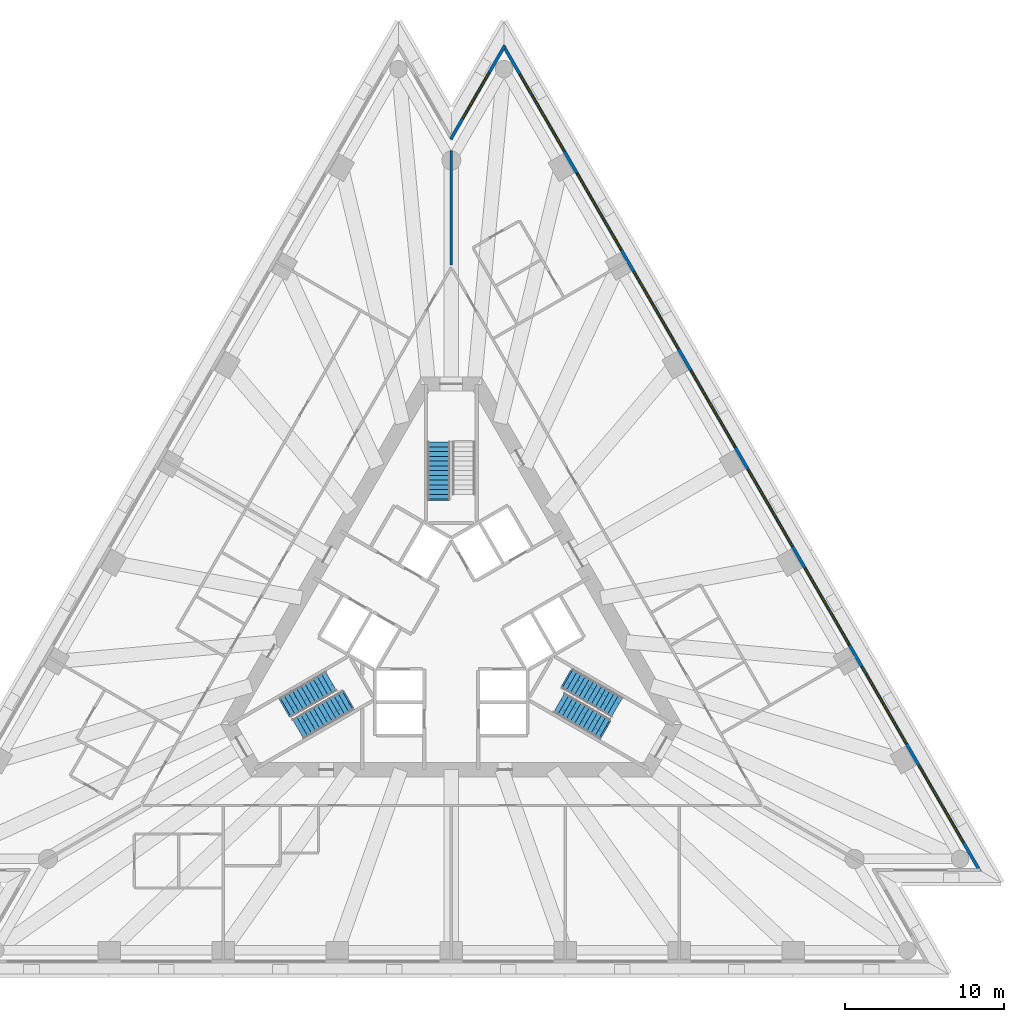
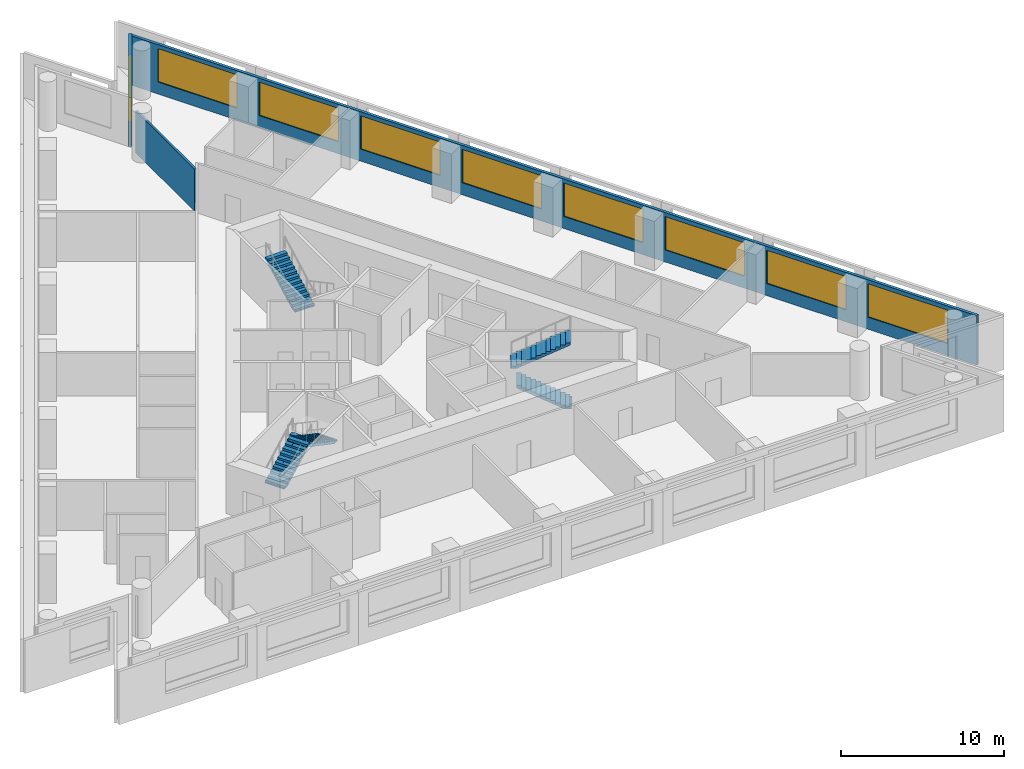
# One storey, part 8 of 11: 9 windows, 5 stair flights, 3 walls, 9 openings, 3 elements without a shape of their own.
"""IFC4 building model written with IfcOpenShell, lengths in metres."""

import ifcopenshell
import ifcopenshell.guid

model = None  # the IFC model being written
_history = None  # IfcOwnerHistory: only IFC2X3 demands one
_inside = {}  # id of a spatial element -> (the spatial element, [elements in it])
_under = {}  # id of a project, library or spatial element -> (it, [spatial elements below it])
_declared = {}  # id of a project -> (the project, [libraries it declares])
_typed = {}  # id of a type object -> (the type object, [elements of that type])
_made_of = {}  # id of a material, layer set ... -> (it, [elements and type objects made of it])


def new_model(schema):
    """Start an empty IFC model of exactly this schema.

    Asked for "IFC4X3", IfcOpenShell would pick the latest addendum, in which some entities
    have other attributes; the version numbers below select the first issue.
    IFC2X3 requires an IfcOwnerHistory on every rooted entity: one is made here for all.
    """
    global model, _history
    if schema == "IFC4X3":
        model = ifcopenshell.file(schema_version=(4, 3, 0, 0))
    else:
        model = ifcopenshell.file(schema=schema)
    _inside.clear()
    _under.clear()
    _declared.clear()
    _typed.clear()
    _made_of.clear()
    _history = None
    if model.schema == "IFC2X3":
        org = make("IfcOrganization", Name="unknown")
        user = make(
            "IfcPersonAndOrganization",
            ThePerson=make("IfcPerson", FamilyName="unknown"),
            TheOrganization=org,
        )
        app = make(
            "IfcApplication",
            ApplicationDeveloper=org,
            Version="unknown",
            ApplicationFullName="unknown",
            ApplicationIdentifier="unknown",
        )
        _history = make(
            "IfcOwnerHistory",
            OwningUser=user,
            OwningApplication=app,
            ChangeAction="ADDED",
            CreationDate=0,
        )
    return model


def make(cls, **values):
    """One entity of the class cls with the attributes given. An attribute that is None is left unset."""
    return model.create_entity(
        cls, **{name: value for name, value in values.items() if value is not None}
    )


def rooted(cls, **values):
    """An entity with a GlobalId (a new one), such as an element, a storey or a relation."""
    return make(cls, GlobalId=ifcopenshell.guid.new(), OwnerHistory=_history, **values)


def si_unit(unit_type, name, prefix=None):
    """IfcSIUnit, for example si_unit("LENGTHUNIT", "METRE", prefix="MILLI")."""
    return make("IfcSIUnit", UnitType=unit_type, Prefix=prefix, Name=name)


def assignment(units):
    """IfcUnitAssignment: the units of a project."""
    return None if units is None else make("IfcUnitAssignment", Units=units)


def point(xyz):
    """IfcCartesianPoint."""
    return None if xyz is None else make("IfcCartesianPoint", Coordinates=xyz)


def direction(xyz):
    """IfcDirection."""
    return None if xyz is None else make("IfcDirection", DirectionRatios=xyz)


def frame(location, z_axis=None, x_axis=None):
    """IfcAxis2Placement3D, a coordinate frame: its origin and axes. An axis left out is left unset."""
    return make(
        "IfcAxis2Placement3D",
        Location=point(location),
        Axis=direction(z_axis),
        RefDirection=direction(x_axis),
    )


def frame_2d(location, x_axis=None):
    """IfcAxis2Placement2D, a coordinate frame in the plane: its origin and x axis."""
    return make(
        "IfcAxis2Placement2D", Location=point(location), RefDirection=direction(x_axis)
    )


def origin():
    """The frame at (0, 0, 0) with its axes left unset."""
    return frame((0.0, 0.0, 0.0))


def place(relative_to, where):
    """IfcLocalPlacement: puts the frame where relative to a parent placement (None: the world)."""
    return make(
        "IfcLocalPlacement", PlacementRelTo=relative_to, RelativePlacement=where
    )


def context(
    kind, dimensions, precision=None, world=None, true_north=None, identifier=None
):
    """IfcGeometricRepresentationContext, for example the 3D "Model" context."""
    return make(
        "IfcGeometricRepresentationContext",
        ContextIdentifier=identifier,
        ContextType=kind,
        CoordinateSpaceDimension=dimensions,
        Precision=precision,
        WorldCoordinateSystem=world,
        TrueNorth=true_north,
    )


def subcontext(parent, identifier, kind, view, scale=None):
    """IfcGeometricRepresentationSubContext, for example "Body" below "Model"."""
    return make(
        "IfcGeometricRepresentationSubContext",
        ContextIdentifier=identifier,
        ContextType=kind,
        ParentContext=parent,
        TargetScale=scale,
        TargetView=view,
    )


def project(units=None, contexts=None):
    """IfcProject with its units and contexts."""
    return rooted(
        "IfcProject",
        Name="project",
        RepresentationContexts=contexts,
        UnitsInContext=assignment(units),
    )


def spatial(cls, under=None, at=None, **own):
    """A site, building, storey or space (cls), placed at a placement, below another one or the project."""
    s = rooted(cls, ObjectPlacement=at, **own)
    if under is not None:
        _under.setdefault(under.id(), (under, []))[1].append(s)
    return s


def polyline(points):
    """IfcPolyline through the points."""
    return make("IfcPolyline", Points=[point(p) for p in points])


def profile(cls, at=None, kind="AREA", **sizes):
    """A parametric profile (cls). Its sizes go by their IFC names, for example OverallWidth=200.0."""
    return make(cls, ProfileType=kind, Position=at, **sizes)


def rectangle(**sizes):
    """IfcRectangleProfileDef."""
    return profile("IfcRectangleProfileDef", **sizes)


def outline(outer, holes=None, kind="AREA"):
    """IfcArbitraryClosedProfileDef: a profile drawn as a closed curve; with holes, ...WithVoids."""
    if holes is None:
        return make("IfcArbitraryClosedProfileDef", ProfileType=kind, OuterCurve=outer)
    return make(
        "IfcArbitraryProfileDefWithVoids",
        ProfileType=kind,
        OuterCurve=outer,
        InnerCurves=holes,
    )


def extrude(swept, where, along, depth):
    """IfcExtrudedAreaSolid: the profile swept, set in the frame where, extruded along a direction by depth."""
    return make(
        "IfcExtrudedAreaSolid",
        SweptArea=swept,
        Position=where,
        ExtrudedDirection=direction(along),
        Depth=depth,
    )


def shape(context_of_items, identifier, shape_type, items):
    """IfcShapeRepresentation: the items that make up one representation, for example the "Body"."""
    return make(
        "IfcShapeRepresentation",
        ContextOfItems=context_of_items,
        RepresentationIdentifier=identifier,
        RepresentationType=shape_type,
        Items=items,
    )


def material(Name=None, Category=None):
    """IfcMaterial."""
    return make("IfcMaterial", Name=Name, Category=Category)


def layer(
    of_material, thickness, ventilated=None, Name=None, Category=None, Priority=None
):
    """IfcMaterialLayer: one layer of a wall or slab, of a material (None: an air gap)."""
    return make(
        "IfcMaterialLayer",
        Material=of_material,
        LayerThickness=thickness,
        IsVentilated=ventilated,
        Name=Name,
        Category=Category,
        Priority=Priority,
    )


def layer_set(layers, Name=None):
    """IfcMaterialLayerSet."""
    return make("IfcMaterialLayerSet", MaterialLayers=layers, LayerSetName=Name)


def layer_usage(for_layer_set, set_direction, sense, offset, extent=None):
    """IfcMaterialLayerSetUsage: how a layer set lies in its element."""
    return make(
        "IfcMaterialLayerSetUsage",
        ForLayerSet=for_layer_set,
        LayerSetDirection=set_direction,
        DirectionSense=sense,
        OffsetFromReferenceLine=offset,
        ReferenceExtent=extent,
    )


def made_of(thing, what):
    """Note that an element or type object is made of a material, layer set ...; save() writes the relation."""
    if what is not None:
        _made_of.setdefault(what.id(), (what, []))[1].append(thing)
    return thing


def type_object(cls, material=None, **own):
    """A type object (cls), such as IfcWallType, which elements share."""
    return made_of(rooted(cls, **own), material)


def element(
    cls,
    number,
    at=None,
    inside=None,
    cuts=None,
    type_object=None,
    material=None,
    context=None,
    identifier="Body",
    shape_type=None,
    held_by="IfcProductDefinitionShape",
    body=None,
    shapes=None,
    **own,
):
    """One element of the class cls, such as IfcWall. Its Tag is "e" and its number.

    at: its placement. inside: the storey or other place that contains it. cuts: it is an
    opening in that element (IfcRelVoidsElement). A single representation is given by context,
    identifier, shape_type and body (its items); several are given by shapes. held_by: the class
    of the entity that holds the representations. save() writes the other relations.
    """
    e = rooted(cls, Tag="e%d" % number, ObjectPlacement=at, **own)
    if body is not None:
        shapes = [shape(context, identifier, shape_type, body)]
    if shapes is not None:
        e.Representation = make(held_by, Representations=shapes)
    if inside is not None:
        _inside.setdefault(inside.id(), (inside, []))[1].append(e)
    if cuts is not None:
        rooted(
            "IfcRelVoidsElement", RelatingBuildingElement=cuts, RelatedOpeningElement=e
        )
    if type_object is not None:
        _typed.setdefault(type_object.id(), (type_object, []))[1].append(e)
    return made_of(e, material)


def fill(opening, filler):
    """IfcRelFillsElement: the door or window that sits in an opening."""
    return rooted(
        "IfcRelFillsElement",
        RelatingOpeningElement=opening,
        RelatedBuildingElement=filler,
    )


def aggregate(whole, parts):
    """IfcRelAggregates: a whole, such as a stair, and the parts it consists of."""
    return rooted("IfcRelAggregates", RelatingObject=whole, RelatedObjects=parts)


def save(model, path):
    """Write the relations noted so far, then the file.

    IfcRelAggregates (storeys below a building ...), IfcRelContainedInSpatialStructure (elements
    in a storey), IfcRelDefinesByType, IfcRelAssociatesMaterial and IfcRelDeclares: one each for
    every whole, place, type object, material and project.
    """
    for whole, parts in _under.values():
        aggregate(whole, parts)
    for where, things in _inside.values():
        rooted(
            "IfcRelContainedInSpatialStructure",
            RelatedElements=things,
            RelatingStructure=where,
        )
    for kind, things in _typed.values():
        rooted("IfcRelDefinesByType", RelatedObjects=things, RelatingType=kind)
    for what, things in _made_of.values():
        rooted("IfcRelAssociatesMaterial", RelatedObjects=things, RelatingMaterial=what)
    for by, libraries in _declared.values():
        rooted("IfcRelDeclares", RelatingContext=by, RelatedDefinitions=libraries)
    model.write(path)


model = new_model("IFC4")

# Units and contexts
model_context = context("Model", 3, precision=1e-05, world=origin(), true_north=direction((0.0, 1.0)))
body_context = subcontext(model_context, "Body", "Model", "MODEL_VIEW")
ifc_project = project(units=[si_unit("LENGTHUNIT", "METRE"), si_unit("AREAUNIT", "SQUARE_METRE"), si_unit("VOLUMEUNIT", "CUBIC_METRE"), si_unit("PLANEANGLEUNIT", "RADIAN"), si_unit("MASSUNIT", "GRAM", prefix="KILO")], contexts=[model_context])

# Site, building, storey
site_placement = place(None, origin())
site = spatial("IfcSite", under=ifc_project, at=site_placement, CompositionType="ELEMENT")
building_placement = place(site_placement, origin())
building = spatial("IfcBuilding", under=site, at=building_placement, Name="Triada Interchange Tower", CompositionType="ELEMENT")
storey_placement = place(building_placement, frame((0.0, 0.0, 83.300048828125)))
storey = spatial("IfcBuildingStorey", under=building, at=storey_placement, Name="L18", CompositionType="ELEMENT", Elevation=83.300048828125)

# Wall, openings, windows
ifc_material_1 = material(Name="Cement board")
ifc_layer_1 = layer(ifc_material_1, 0.02001953125, Name="Cement board cladding")
ifc_material_2 = material(Name="Sheathing board")
ifc_layer_2 = layer(ifc_material_2, 0.014892578125, Name="Sheathing board")
ifc_material_3 = material(Name="Mineral wool")
ifc_layer_3 = layer(ifc_material_3, 0.14990234375, Name="Mineral wool between steel studs")
ifc_material_4 = material(Name="Gypsum board")
ifc_layer_4 = layer(ifc_material_4, 0.014892578125, Name="Plasterboard lining")
ifc_layer_set_1 = layer_set([ifc_layer_1, ifc_layer_2, ifc_layer_3, ifc_layer_4], Name="External wall 200")
ifc_layer_usage = layer_usage(ifc_layer_set_1, "AXIS2", "POSITIVE", -0.10009765625)
wall_type_1 = type_object("IfcWallType", Name="External wall 200", PredefinedType="ELEMENTEDWALL", material=ifc_layer_set_1)
wall_1_placement = place(storey_placement, frame((33.31689453125, -15.447998046875, 0.0), z_axis=(0.0, 0.0, 1.0), x_axis=(-0.499999874703, 0.866025476125, 0.0)))
wall_1 = element("IfcWall", 1, at=wall_1_placement, inside=storey, type_object=wall_type_1, material=ifc_layer_usage, Name="External wall L18 NE", PredefinedType="ELEMENTEDWALL", context=body_context, shape_type="SweptSolid", body=[
    extrude(rectangle(XDim=60.0537109375, YDim=0.199951171875, at=frame_2d((30.02685546875, 0.0))), origin(), (0.0, 0.0, 1.0), 3.699951171875),
])
opening_1_placement = place(wall_1_placement, frame((2.093994140625, 0.0, 0.89990234375)))
opening_1 = element("IfcOpeningElement", 2, at=opening_1_placement, cuts=wall_1, Name="Opening WA21", PredefinedType="OPENING", context=body_context, shape_type="SweptSolid", body=[
    extrude(rectangle(XDim=5.60009765625, YDim=2.5, at=frame_2d((2.800048828125, 1.25))), frame((0.0, 0.10986328125, 0.0), z_axis=(0.0, -1.0, 0.0), x_axis=(1.0, 0.0, 0.0)), (0.0, 0.0, 1.0), 0.219970703125),
])
opening_2_placement = place(wall_1_placement, frame((9.278076171875, 0.0, 0.89990234375)))
opening_2 = element("IfcOpeningElement", 3, at=opening_2_placement, cuts=wall_1, Name="Opening WA22", PredefinedType="OPENING", context=body_context, shape_type="SweptSolid", body=[
    extrude(rectangle(XDim=5.60009765625, YDim=2.5, at=frame_2d((2.800048828125, 1.25))), frame((0.0, 0.10986328125, 0.0), z_axis=(0.0, -1.0, 0.0), x_axis=(1.0, 0.0, 0.0)), (0.0, 0.0, 1.0), 0.219970703125),
])
opening_3_placement = place(wall_1_placement, frame((16.4619140625, 0.0, 0.89990234375)))
opening_3 = element("IfcOpeningElement", 4, at=opening_3_placement, cuts=wall_1, Name="Opening WA23", PredefinedType="OPENING", context=body_context, shape_type="SweptSolid", body=[
    extrude(rectangle(XDim=5.60009765625, YDim=2.5, at=frame_2d((2.800048828125, 1.25))), frame((0.0, 0.10986328125, 0.0), z_axis=(0.0, -1.0, 0.0), x_axis=(1.0, 0.0, 0.0)), (0.0, 0.0, 1.0), 0.219970703125),
])
opening_4_placement = place(wall_1_placement, frame((23.64501953125, 0.0, 0.89990234375)))
opening_4 = element("IfcOpeningElement", 5, at=opening_4_placement, cuts=wall_1, Name="Opening WA24", PredefinedType="OPENING", context=body_context, shape_type="SweptSolid", body=[
    extrude(rectangle(XDim=5.60009765625, YDim=2.5, at=frame_2d((2.800048828125, 1.25))), frame((0.0, 0.10986328125, 0.0), z_axis=(0.0, -1.0, 0.0), x_axis=(1.0, 0.0, 0.0)), (0.0, 0.0, 1.0), 0.219970703125),
])
opening_5_placement = place(wall_1_placement, frame((30.8291015625, 0.0, 0.89990234375)))
opening_5 = element("IfcOpeningElement", 6, at=opening_5_placement, cuts=wall_1, Name="Opening WA25", PredefinedType="OPENING", context=body_context, shape_type="SweptSolid", body=[
    extrude(rectangle(XDim=5.60009765625, YDim=2.5, at=frame_2d((2.800048828125, 1.25))), frame((0.0, 0.10986328125, 0.0), z_axis=(0.0, -1.0, 0.0), x_axis=(1.0, 0.0, 0.0)), (0.0, 0.0, 1.0), 0.219970703125),
])
opening_6_placement = place(wall_1_placement, frame((38.011962890625, 0.0, 0.89990234375)))
opening_6 = element("IfcOpeningElement", 7, at=opening_6_placement, cuts=wall_1, Name="Opening WA26", PredefinedType="OPENING", context=body_context, shape_type="SweptSolid", body=[
    extrude(rectangle(XDim=5.60009765625, YDim=2.5, at=frame_2d((2.800048828125, 1.25))), frame((0.0, 0.10986328125, 0.0), z_axis=(0.0, -1.0, 0.0), x_axis=(1.0, 0.0, 0.0)), (0.0, 0.0, 1.0), 0.219970703125),
])
opening_7_placement = place(wall_1_placement, frame((45.196044921875, 0.0, 0.89990234375)))
opening_7 = element("IfcOpeningElement", 8, at=opening_7_placement, cuts=wall_1, Name="Opening WA27", PredefinedType="OPENING", context=body_context, shape_type="SweptSolid", body=[
    extrude(rectangle(XDim=5.60009765625, YDim=2.5, at=frame_2d((2.800048828125, 1.25))), frame((0.0, 0.10986328125, 0.0), z_axis=(0.0, -1.0, 0.0), x_axis=(1.0, 0.0, 0.0)), (0.0, 0.0, 1.0), 0.219970703125),
])
opening_8_placement = place(wall_1_placement, frame((52.37890625, 0.0, 0.89990234375)))
opening_8 = element("IfcOpeningElement", 9, at=opening_8_placement, cuts=wall_1, Name="Opening WA28", PredefinedType="OPENING", context=body_context, shape_type="SweptSolid", body=[
    extrude(rectangle(XDim=5.60009765625, YDim=2.5, at=frame_2d((2.800048828125, 1.25))), frame((0.0, 0.10986328125, 0.0), z_axis=(0.0, -1.0, 0.0), x_axis=(1.0, 0.0, 0.0)), (0.0, 0.0, 1.0), 0.219970703125),
])
ifc_material_5 = material(Name="Double glazed aluminium window", Category="aluminium")
window_type_1 = type_object("IfcWindowType", Name="Ribbon window A face", PartitioningType="SINGLE_PANEL", PredefinedType="WINDOW", material=ifc_material_5)
window_1_placement = place(opening_1_placement, origin())
window_1 = element("IfcWindow", 10, at=window_1_placement, inside=storey, type_object=window_type_1, Name="Window L18 NE 1", OverallHeight=2.5, OverallWidth=5.60009765625, PartitioningType="SINGLE_PANEL", PredefinedType="WINDOW", context=body_context, shape_type="SweptSolid", body=[
    extrude(rectangle(XDim=5.60009765625, YDim=2.5, at=frame_2d((2.800048828125, 1.25))), frame((0.0, 0.030029296875, 0.0), z_axis=(0.0, -1.0, 0.0), x_axis=(1.0, 0.0, 0.0)), (0.0, 0.0, 1.0), 0.06005859375),
])
fill(opening_1, window_1)
window_2_placement = place(opening_2_placement, origin())
window_2 = element("IfcWindow", 11, at=window_2_placement, inside=storey, type_object=window_type_1, Name="Window L18 NE 2", OverallHeight=2.5, OverallWidth=5.60009765625, PartitioningType="SINGLE_PANEL", PredefinedType="WINDOW", context=body_context, shape_type="SweptSolid", body=[
    extrude(rectangle(XDim=5.60009765625, YDim=2.5, at=frame_2d((2.800048828125, 1.25))), frame((0.0, 0.030029296875, 0.0), z_axis=(0.0, -1.0, 0.0), x_axis=(1.0, 0.0, 0.0)), (0.0, 0.0, 1.0), 0.06005859375),
])
fill(opening_2, window_2)
window_3_placement = place(opening_3_placement, origin())
window_3 = element("IfcWindow", 12, at=window_3_placement, inside=storey, type_object=window_type_1, Name="Window L18 NE 3", OverallHeight=2.5, OverallWidth=5.60009765625, PartitioningType="SINGLE_PANEL", PredefinedType="WINDOW", context=body_context, shape_type="SweptSolid", body=[
    extrude(rectangle(XDim=5.60009765625, YDim=2.5, at=frame_2d((2.800048828125, 1.25))), frame((0.0, 0.030029296875, 0.0), z_axis=(0.0, -1.0, 0.0), x_axis=(1.0, 0.0, 0.0)), (0.0, 0.0, 1.0), 0.06005859375),
])
fill(opening_3, window_3)
window_4_placement = place(opening_4_placement, origin())
window_4 = element("IfcWindow", 13, at=window_4_placement, inside=storey, type_object=window_type_1, Name="Window L18 NE 4", OverallHeight=2.5, OverallWidth=5.60009765625, PartitioningType="SINGLE_PANEL", PredefinedType="WINDOW", context=body_context, shape_type="SweptSolid", body=[
    extrude(rectangle(XDim=5.60009765625, YDim=2.5, at=frame_2d((2.800048828125, 1.25))), frame((0.0, 0.030029296875, 0.0), z_axis=(0.0, -1.0, 0.0), x_axis=(1.0, 0.0, 0.0)), (0.0, 0.0, 1.0), 0.06005859375),
])
fill(opening_4, window_4)
window_5_placement = place(opening_5_placement, origin())
window_5 = element("IfcWindow", 14, at=window_5_placement, inside=storey, type_object=window_type_1, Name="Window L18 NE 5", OverallHeight=2.5, OverallWidth=5.60009765625, PartitioningType="SINGLE_PANEL", PredefinedType="WINDOW", context=body_context, shape_type="SweptSolid", body=[
    extrude(rectangle(XDim=5.60009765625, YDim=2.5, at=frame_2d((2.800048828125, 1.25))), frame((0.0, 0.030029296875, 0.0), z_axis=(0.0, -1.0, 0.0), x_axis=(1.0, 0.0, 0.0)), (0.0, 0.0, 1.0), 0.06005859375),
])
fill(opening_5, window_5)
window_6_placement = place(opening_6_placement, origin())
window_6 = element("IfcWindow", 15, at=window_6_placement, inside=storey, type_object=window_type_1, Name="Window L18 NE 6", OverallHeight=2.5, OverallWidth=5.60009765625, PartitioningType="SINGLE_PANEL", PredefinedType="WINDOW", context=body_context, shape_type="SweptSolid", body=[
    extrude(rectangle(XDim=5.60009765625, YDim=2.5, at=frame_2d((2.800048828125, 1.25))), frame((0.0, 0.030029296875, 0.0), z_axis=(0.0, -1.0, 0.0), x_axis=(1.0, 0.0, 0.0)), (0.0, 0.0, 1.0), 0.06005859375),
])
fill(opening_6, window_6)
window_7_placement = place(opening_7_placement, origin())
window_7 = element("IfcWindow", 16, at=window_7_placement, inside=storey, type_object=window_type_1, Name="Window L18 NE 7", OverallHeight=2.5, OverallWidth=5.60009765625, PartitioningType="SINGLE_PANEL", PredefinedType="WINDOW", context=body_context, shape_type="SweptSolid", body=[
    extrude(rectangle(XDim=5.60009765625, YDim=2.5, at=frame_2d((2.800048828125, 1.25))), frame((0.0, 0.030029296875, 0.0), z_axis=(0.0, -1.0, 0.0), x_axis=(1.0, 0.0, 0.0)), (0.0, 0.0, 1.0), 0.06005859375),
])
fill(opening_7, window_7)
window_8_placement = place(opening_8_placement, origin())
window_8 = element("IfcWindow", 17, at=window_8_placement, inside=storey, type_object=window_type_1, Name="Window L18 NE 8", OverallHeight=2.5, OverallWidth=5.60009765625, PartitioningType="SINGLE_PANEL", PredefinedType="WINDOW", context=body_context, shape_type="SweptSolid", body=[
    extrude(rectangle(XDim=5.60009765625, YDim=2.5, at=frame_2d((2.800048828125, 1.25))), frame((0.0, 0.030029296875, 0.0), z_axis=(0.0, -1.0, 0.0), x_axis=(1.0, 0.0, 0.0)), (0.0, 0.0, 1.0), 0.06005859375),
])
fill(opening_8, window_8)

# Wall, opening, window
wall_2_placement = place(storey_placement, frame((3.3701171875, 36.576904296875, 0.0), z_axis=(0.0, 0.0, 1.0), x_axis=(-0.499983120418, -0.866035148996, 0.0)))
wall_2 = element("IfcWall", 18, at=wall_2_placement, inside=storey, type_object=wall_type_1, material=ifc_layer_usage, Name="External wall L18 N-1", PredefinedType="ELEMENTEDWALL", context=body_context, shape_type="SweptSolid", body=[
    extrude(rectangle(XDim=6.810302734375, YDim=0.199951171875, at=frame_2d((3.4052734375, 0.0))), origin(), (0.0, 0.0, 1.0), 3.699951171875),
])
opening_9_placement = place(wall_2_placement, frame((1.989990234375, 0.0, 0.89990234375)))
opening_9 = element("IfcOpeningElement", 19, at=opening_9_placement, cuts=wall_2, Name="Opening WA29", PredefinedType="OPENING", context=body_context, shape_type="SweptSolid", body=[
    extrude(rectangle(XDim=3.300048828125, YDim=2.5, at=frame_2d((1.64990234375, 1.25))), frame((0.0, 0.10986328125, 0.0), z_axis=(0.0, -1.0, 0.0), x_axis=(1.0, 0.0, 0.0)), (0.0, 0.0, 1.0), 0.219970703125),
])
window_type_2 = type_object("IfcWindowType", Name="Ribbon window A pocket", PartitioningType="SINGLE_PANEL", PredefinedType="WINDOW", material=ifc_material_5)
window_9_placement = place(opening_9_placement, origin())
window_9 = element("IfcWindow", 20, at=window_9_placement, inside=storey, type_object=window_type_2, Name="Window L18 N-1 1", OverallHeight=2.5, OverallWidth=3.300048828125, PartitioningType="SINGLE_PANEL", PredefinedType="WINDOW", context=body_context, shape_type="SweptSolid", body=[
    extrude(rectangle(XDim=3.300048828125, YDim=2.5, at=frame_2d((1.64990234375, 1.25))), frame((0.0, 0.030029296875, 0.0), z_axis=(0.0, -1.0, 0.0), x_axis=(1.0, 0.0, 0.0)), (0.0, 0.0, 1.0), 0.06005859375),
])
fill(opening_9, window_9)

# Wall
ifc_material_6 = material(Name="Gypsum board partition")
ifc_layer_5 = layer(ifc_material_6, 0.14990234375)
ifc_layer_set_2 = layer_set([ifc_layer_5], Name="PARTITION 150 EI 180")
wall_type_2 = type_object("IfcWallType", Name="PARTITION 150 EI 180", PredefinedType="PARTITIONING", material=ifc_layer_set_2)
wall_3_placement = place(storey_placement, frame((0.0, 22.75, 0.0), z_axis=(0.0, 0.0, 1.0), x_axis=(0.0, 1.0, 0.0)))
element("IfcWall", 21, at=wall_3_placement, inside=storey, type_object=wall_type_2, Name="Wall L18 18", PredefinedType="PARTITIONING", context=body_context, shape_type="SweptSolid", body=[
    extrude(rectangle(XDim=7.2099609375, YDim=0.14990234375, at=frame_2d((3.60498046875, 0.0))), origin(), (0.0, 0.0, 1.0), 3.14990234375),
])

# Stair, stair flight
ifc_material_7 = material(Name="Concrete C35/45", Category="concrete")
stair_type = type_object("IfcStairType", Name="HALF TURN STAIR 1400", PredefinedType="HALF_TURN_STAIR", material=ifc_material_7)
stair_1_placement = place(storey_placement, origin())
stair_1 = element("IfcStair", 22, at=stair_1_placement, inside=storey, type_object=stair_type, Name="Exit stair S18-1", PredefinedType="HALF_TURN_STAIR")
stair_flight_type = type_object("IfcStairFlightType", Name="STRAIGHT STAIR FLIGHT 1400", PredefinedType="STRAIGHT", material=ifc_material_7)
stair_flight_1_placement = place(storey_placement, frame((-0.800048828125, 8.0, 1.919921875), z_axis=(0.0, 0.0, 1.0), x_axis=(0.0, 1.0, 0.0)))
stair_flight_1 = element("IfcStairFlight", 23, at=stair_flight_1_placement, type_object=stair_flight_type, Name="S18-1 flight 2", NumberOfRisers=13, NumberOfTreads=12, PredefinedType="STRAIGHT", RiserHeight=0.16, TreadLength=0.3, context=body_context, shape_type="SweptSolid", body=[
    extrude(outline(polyline([(-0.10009765625, 0.0), (-0.10009765625, 0.02001953125), (0.0, 0.02001953125), (0.0, 0.159912109375), (0.300048828125, 0.159912109375), (0.300048828125, 0.320068359375), (0.60009765625, 0.320068359375), (0.60009765625, 0.47998046875), (0.89990234375, 0.47998046875), (0.89990234375, 0.639892578125), (1.199951171875, 0.639892578125), (1.199951171875, 0.800048828125), (1.5, 0.800048828125), (1.5, 0.9599609375), (1.800048828125, 0.9599609375), (1.800048828125, 1.1201171875), (2.10009765625, 1.1201171875), (2.10009765625, 1.280029296875), (2.39990234375, 1.280029296875), (2.39990234375, 1.43994140625), (2.699951171875, 1.43994140625), (2.699951171875, 1.60009765625), (3.0, 1.60009765625), (3.0, 1.760009765625), (3.300048828125, 1.760009765625), (3.300048828125, 1.919921875), (3.60009765625, 1.919921875), (3.60400390625, 1.919921875), (3.60400390625, 2.080078125), (3.60400390625, 1.75), (0.318603515625, 0.0), (-0.10009765625, 0.0)])), frame((0.0, 0.699951171875, 0.0), z_axis=(0.0, -1.0, 0.0), x_axis=(1.0, 0.0, 0.0)), (0.0, 0.0, 1.0), 0.46533203125),
    extrude(outline(polyline([(-0.10009765625, 0.0), (-0.10009765625, 0.02001953125), (0.0, 0.02001953125), (0.0, 0.159912109375), (0.300048828125, 0.159912109375), (0.300048828125, 0.320068359375), (0.60009765625, 0.320068359375), (0.60009765625, 0.47998046875), (0.89990234375, 0.47998046875), (0.89990234375, 0.639892578125), (1.199951171875, 0.639892578125), (1.199951171875, 0.800048828125), (1.5, 0.800048828125), (1.5, 0.9599609375), (1.800048828125, 0.9599609375), (1.800048828125, 1.1201171875), (2.10009765625, 1.1201171875), (2.10009765625, 1.280029296875), (2.39990234375, 1.280029296875), (2.39990234375, 1.43994140625), (2.699951171875, 1.43994140625), (2.699951171875, 1.60009765625), (3.0, 1.60009765625), (3.0, 1.760009765625), (3.300048828125, 1.760009765625), (3.300048828125, 1.919921875), (3.60009765625, 1.919921875), (3.60400390625, 1.919921875), (3.60400390625, 2.080078125), (3.60400390625, 1.75), (0.318603515625, 0.0), (-0.10009765625, 0.0)])), frame((0.0, 0.232666015625, 0.0), z_axis=(0.0, -1.0, 0.0), x_axis=(1.0, 0.0, 0.0)), (0.0, 0.0, 1.0), 0.46533203125),
    extrude(outline(polyline([(-0.10009765625, 0.0), (-0.10009765625, 0.02001953125), (0.0, 0.02001953125), (0.0, 0.159912109375), (0.300048828125, 0.159912109375), (0.300048828125, 0.320068359375), (0.60009765625, 0.320068359375), (0.60009765625, 0.47998046875), (0.89990234375, 0.47998046875), (0.89990234375, 0.639892578125), (1.199951171875, 0.639892578125), (1.199951171875, 0.800048828125), (1.5, 0.800048828125), (1.5, 0.9599609375), (1.800048828125, 0.9599609375), (1.800048828125, 1.1201171875), (2.10009765625, 1.1201171875), (2.10009765625, 1.280029296875), (2.39990234375, 1.280029296875), (2.39990234375, 1.43994140625), (2.699951171875, 1.43994140625), (2.699951171875, 1.60009765625), (3.0, 1.60009765625), (3.0, 1.760009765625), (3.300048828125, 1.760009765625), (3.300048828125, 1.919921875), (3.60009765625, 1.919921875), (3.60400390625, 1.919921875), (3.60400390625, 2.080078125), (3.60400390625, 1.75), (0.318603515625, 0.0), (-0.10009765625, 0.0)])), frame((0.0, -0.234619140625, 0.0), z_axis=(0.0, -1.0, 0.0), x_axis=(1.0, 0.0, 0.0)), (0.0, 0.0, 1.0), 0.46533203125),
])
aggregate(stair_1, [stair_flight_1])

# Stair, stair flights
stair_2_placement = place(storey_placement, origin())
stair_2 = element("IfcStair", 24, at=stair_2_placement, inside=storey, type_object=stair_type, Name="Exit stair S18-2", PredefinedType="HALF_TURN_STAIR")
stair_flight_2_placement = place(storey_placement, frame((-10.446044921875, -5.10693359375, 0.0), z_axis=(0.0, 0.0, 1.0), x_axis=(0.866025403784, 0.5, 0.0)))
stair_flight_2 = element("IfcStairFlight", 25, at=stair_flight_2_placement, type_object=stair_flight_type, Name="S18-2 flight 1", NumberOfRisers=12, NumberOfTreads=11, PredefinedType="STRAIGHT", RiserHeight=0.16, TreadLength=0.3, context=body_context, shape_type="SweptSolid", body=[
    extrude(outline(polyline([(-0.10009765625, 0.0), (-0.10009765625, 0.02001953125), (0.0, 0.02001953125), (0.0, 0.159912109375), (0.300048828125, 0.159912109375), (0.300048828125, 0.320068359375), (0.60009765625, 0.320068359375), (0.60009765625, 0.47998046875), (0.89990234375, 0.47998046875), (0.89990234375, 0.639892578125), (1.199951171875, 0.639892578125), (1.199951171875, 0.800048828125), (1.5, 0.800048828125), (1.5, 0.9599609375), (1.800048828125, 0.9599609375), (1.800048828125, 1.1201171875), (2.10009765625, 1.1201171875), (2.10009765625, 1.280029296875), (2.39990234375, 1.280029296875), (2.39990234375, 1.43994140625), (2.699951171875, 1.43994140625), (2.699951171875, 1.60009765625), (3.0, 1.60009765625), (3.0, 1.760009765625), (3.300048828125, 1.760009765625), (3.303955078125, 1.760009765625), (3.303955078125, 1.919921875), (3.303955078125, 1.590087890625), (0.318603515625, 0.0), (-0.10009765625, 0.0)])), frame((0.0, 0.699951171875, 0.0), z_axis=(0.0, -1.0, 0.0), x_axis=(1.0, 0.0, 0.0)), (0.0, 0.0, 1.0), 0.46533203125),
    extrude(outline(polyline([(-0.10009765625, 0.0), (-0.10009765625, 0.02001953125), (0.0, 0.02001953125), (0.0, 0.159912109375), (0.300048828125, 0.159912109375), (0.300048828125, 0.320068359375), (0.60009765625, 0.320068359375), (0.60009765625, 0.47998046875), (0.89990234375, 0.47998046875), (0.89990234375, 0.639892578125), (1.199951171875, 0.639892578125), (1.199951171875, 0.800048828125), (1.5, 0.800048828125), (1.5, 0.9599609375), (1.800048828125, 0.9599609375), (1.800048828125, 1.1201171875), (2.10009765625, 1.1201171875), (2.10009765625, 1.280029296875), (2.39990234375, 1.280029296875), (2.39990234375, 1.43994140625), (2.699951171875, 1.43994140625), (2.699951171875, 1.60009765625), (3.0, 1.60009765625), (3.0, 1.760009765625), (3.300048828125, 1.760009765625), (3.303955078125, 1.760009765625), (3.303955078125, 1.919921875), (3.303955078125, 1.590087890625), (0.318603515625, 0.0), (-0.10009765625, 0.0)])), frame((0.0, 0.232666015625, 0.0), z_axis=(0.0, -1.0, 0.0), x_axis=(1.0, 0.0, 0.0)), (0.0, 0.0, 1.0), 0.46533203125),
    extrude(outline(polyline([(-0.10009765625, 0.0), (-0.10009765625, 0.02001953125), (0.0, 0.02001953125), (0.0, 0.159912109375), (0.300048828125, 0.159912109375), (0.300048828125, 0.320068359375), (0.60009765625, 0.320068359375), (0.60009765625, 0.47998046875), (0.89990234375, 0.47998046875), (0.89990234375, 0.639892578125), (1.199951171875, 0.639892578125), (1.199951171875, 0.800048828125), (1.5, 0.800048828125), (1.5, 0.9599609375), (1.800048828125, 0.9599609375), (1.800048828125, 1.1201171875), (2.10009765625, 1.1201171875), (2.10009765625, 1.280029296875), (2.39990234375, 1.280029296875), (2.39990234375, 1.43994140625), (2.699951171875, 1.43994140625), (2.699951171875, 1.60009765625), (3.0, 1.60009765625), (3.0, 1.760009765625), (3.300048828125, 1.760009765625), (3.303955078125, 1.760009765625), (3.303955078125, 1.919921875), (3.303955078125, 1.590087890625), (0.318603515625, 0.0), (-0.10009765625, 0.0)])), frame((0.0, -0.234619140625, 0.0), z_axis=(0.0, -1.0, 0.0), x_axis=(1.0, 0.0, 0.0)), (0.0, 0.0, 1.0), 0.46533203125),
])
stair_flight_3_placement = place(storey_placement, frame((-6.528076171875, -4.693115234375, 1.919921875), z_axis=(0.0, 0.0, 1.0), x_axis=(-0.866025403784, -0.5, 0.0)))
stair_flight_3 = element("IfcStairFlight", 26, at=stair_flight_3_placement, type_object=stair_flight_type, Name="S18-2 flight 2", NumberOfRisers=13, NumberOfTreads=12, PredefinedType="STRAIGHT", RiserHeight=0.16, TreadLength=0.3, context=body_context, shape_type="SweptSolid", body=[
    extrude(outline(polyline([(-0.10009765625, 0.0), (-0.10009765625, 0.02001953125), (0.0, 0.02001953125), (0.0, 0.159912109375), (0.300048828125, 0.159912109375), (0.300048828125, 0.320068359375), (0.60009765625, 0.320068359375), (0.60009765625, 0.47998046875), (0.89990234375, 0.47998046875), (0.89990234375, 0.639892578125), (1.199951171875, 0.639892578125), (1.199951171875, 0.800048828125), (1.5, 0.800048828125), (1.5, 0.9599609375), (1.800048828125, 0.9599609375), (1.800048828125, 1.1201171875), (2.10009765625, 1.1201171875), (2.10009765625, 1.280029296875), (2.39990234375, 1.280029296875), (2.39990234375, 1.43994140625), (2.699951171875, 1.43994140625), (2.699951171875, 1.60009765625), (3.0, 1.60009765625), (3.0, 1.760009765625), (3.300048828125, 1.760009765625), (3.300048828125, 1.919921875), (3.60009765625, 1.919921875), (3.60400390625, 1.919921875), (3.60400390625, 2.080078125), (3.60400390625, 1.75), (0.318603515625, 0.0), (-0.10009765625, 0.0)])), frame((0.0, 0.699951171875, 0.0), z_axis=(0.0, -1.0, 0.0), x_axis=(1.0, 0.0, 0.0)), (0.0, 0.0, 1.0), 0.46533203125),
    extrude(outline(polyline([(-0.10009765625, 0.0), (-0.10009765625, 0.02001953125), (0.0, 0.02001953125), (0.0, 0.159912109375), (0.300048828125, 0.159912109375), (0.300048828125, 0.320068359375), (0.60009765625, 0.320068359375), (0.60009765625, 0.47998046875), (0.89990234375, 0.47998046875), (0.89990234375, 0.639892578125), (1.199951171875, 0.639892578125), (1.199951171875, 0.800048828125), (1.5, 0.800048828125), (1.5, 0.9599609375), (1.800048828125, 0.9599609375), (1.800048828125, 1.1201171875), (2.10009765625, 1.1201171875), (2.10009765625, 1.280029296875), (2.39990234375, 1.280029296875), (2.39990234375, 1.43994140625), (2.699951171875, 1.43994140625), (2.699951171875, 1.60009765625), (3.0, 1.60009765625), (3.0, 1.760009765625), (3.300048828125, 1.760009765625), (3.300048828125, 1.919921875), (3.60009765625, 1.919921875), (3.60400390625, 1.919921875), (3.60400390625, 2.080078125), (3.60400390625, 1.75), (0.318603515625, 0.0), (-0.10009765625, 0.0)])), frame((0.0, 0.232666015625, 0.0), z_axis=(0.0, -1.0, 0.0), x_axis=(1.0, 0.0, 0.0)), (0.0, 0.0, 1.0), 0.46533203125),
    extrude(outline(polyline([(-0.10009765625, 0.0), (-0.10009765625, 0.02001953125), (0.0, 0.02001953125), (0.0, 0.159912109375), (0.300048828125, 0.159912109375), (0.300048828125, 0.320068359375), (0.60009765625, 0.320068359375), (0.60009765625, 0.47998046875), (0.89990234375, 0.47998046875), (0.89990234375, 0.639892578125), (1.199951171875, 0.639892578125), (1.199951171875, 0.800048828125), (1.5, 0.800048828125), (1.5, 0.9599609375), (1.800048828125, 0.9599609375), (1.800048828125, 1.1201171875), (2.10009765625, 1.1201171875), (2.10009765625, 1.280029296875), (2.39990234375, 1.280029296875), (2.39990234375, 1.43994140625), (2.699951171875, 1.43994140625), (2.699951171875, 1.60009765625), (3.0, 1.60009765625), (3.0, 1.760009765625), (3.300048828125, 1.760009765625), (3.300048828125, 1.919921875), (3.60009765625, 1.919921875), (3.60400390625, 1.919921875), (3.60400390625, 2.080078125), (3.60400390625, 1.75), (0.318603515625, 0.0), (-0.10009765625, 0.0)])), frame((0.0, -0.234619140625, 0.0), z_axis=(0.0, -1.0, 0.0), x_axis=(1.0, 0.0, 0.0)), (0.0, 0.0, 1.0), 0.46533203125),
])
aggregate(stair_2, [stair_flight_2, stair_flight_3])

stair_3_placement = place(storey_placement, origin())
stair_3 = element("IfcStair", 27, at=stair_3_placement, inside=storey, type_object=stair_type, Name="Exit stair S18-3", PredefinedType="HALF_TURN_STAIR")
stair_flight_4_placement = place(storey_placement, frame((9.64599609375, -6.492919921875, 0.0), z_axis=(0.0, 0.0, 1.0), x_axis=(-0.866025403784, 0.5, 0.0)))
stair_flight_4 = element("IfcStairFlight", 28, at=stair_flight_4_placement, type_object=stair_flight_type, Name="S18-3 flight 1", NumberOfRisers=12, NumberOfTreads=11, PredefinedType="STRAIGHT", RiserHeight=0.16, TreadLength=0.3, context=body_context, shape_type="SweptSolid", body=[
    extrude(outline(polyline([(-0.10009765625, 0.0), (-0.10009765625, 0.02001953125), (0.0, 0.02001953125), (0.0, 0.159912109375), (0.300048828125, 0.159912109375), (0.300048828125, 0.320068359375), (0.60009765625, 0.320068359375), (0.60009765625, 0.47998046875), (0.89990234375, 0.47998046875), (0.89990234375, 0.639892578125), (1.199951171875, 0.639892578125), (1.199951171875, 0.800048828125), (1.5, 0.800048828125), (1.5, 0.9599609375), (1.800048828125, 0.9599609375), (1.800048828125, 1.1201171875), (2.10009765625, 1.1201171875), (2.10009765625, 1.280029296875), (2.39990234375, 1.280029296875), (2.39990234375, 1.43994140625), (2.699951171875, 1.43994140625), (2.699951171875, 1.60009765625), (3.0, 1.60009765625), (3.0, 1.760009765625), (3.300048828125, 1.760009765625), (3.303955078125, 1.760009765625), (3.303955078125, 1.919921875), (3.303955078125, 1.590087890625), (0.318603515625, 0.0), (-0.10009765625, 0.0)])), frame((0.0, 0.699951171875, 0.0), z_axis=(0.0, -1.0, 0.0), x_axis=(1.0, 0.0, 0.0)), (0.0, 0.0, 1.0), 0.46533203125),
    extrude(outline(polyline([(-0.10009765625, 0.0), (-0.10009765625, 0.02001953125), (0.0, 0.02001953125), (0.0, 0.159912109375), (0.300048828125, 0.159912109375), (0.300048828125, 0.320068359375), (0.60009765625, 0.320068359375), (0.60009765625, 0.47998046875), (0.89990234375, 0.47998046875), (0.89990234375, 0.639892578125), (1.199951171875, 0.639892578125), (1.199951171875, 0.800048828125), (1.5, 0.800048828125), (1.5, 0.9599609375), (1.800048828125, 0.9599609375), (1.800048828125, 1.1201171875), (2.10009765625, 1.1201171875), (2.10009765625, 1.280029296875), (2.39990234375, 1.280029296875), (2.39990234375, 1.43994140625), (2.699951171875, 1.43994140625), (2.699951171875, 1.60009765625), (3.0, 1.60009765625), (3.0, 1.760009765625), (3.300048828125, 1.760009765625), (3.303955078125, 1.760009765625), (3.303955078125, 1.919921875), (3.303955078125, 1.590087890625), (0.318603515625, 0.0), (-0.10009765625, 0.0)])), frame((0.0, 0.232666015625, 0.0), z_axis=(0.0, -1.0, 0.0), x_axis=(1.0, 0.0, 0.0)), (0.0, 0.0, 1.0), 0.46533203125),
    extrude(outline(polyline([(-0.10009765625, 0.0), (-0.10009765625, 0.02001953125), (0.0, 0.02001953125), (0.0, 0.159912109375), (0.300048828125, 0.159912109375), (0.300048828125, 0.320068359375), (0.60009765625, 0.320068359375), (0.60009765625, 0.47998046875), (0.89990234375, 0.47998046875), (0.89990234375, 0.639892578125), (1.199951171875, 0.639892578125), (1.199951171875, 0.800048828125), (1.5, 0.800048828125), (1.5, 0.9599609375), (1.800048828125, 0.9599609375), (1.800048828125, 1.1201171875), (2.10009765625, 1.1201171875), (2.10009765625, 1.280029296875), (2.39990234375, 1.280029296875), (2.39990234375, 1.43994140625), (2.699951171875, 1.43994140625), (2.699951171875, 1.60009765625), (3.0, 1.60009765625), (3.0, 1.760009765625), (3.300048828125, 1.760009765625), (3.303955078125, 1.760009765625), (3.303955078125, 1.919921875), (3.303955078125, 1.590087890625), (0.318603515625, 0.0), (-0.10009765625, 0.0)])), frame((0.0, -0.234619140625, 0.0), z_axis=(0.0, -1.0, 0.0), x_axis=(1.0, 0.0, 0.0)), (0.0, 0.0, 1.0), 0.46533203125),
])
stair_flight_5_placement = place(storey_placement, frame((7.327880859375, -3.306884765625, 1.919921875), z_axis=(0.0, 0.0, 1.0), x_axis=(0.866025403784, -0.5, 0.0)))
stair_flight_5 = element("IfcStairFlight", 29, at=stair_flight_5_placement, type_object=stair_flight_type, Name="S18-3 flight 2", NumberOfRisers=13, NumberOfTreads=12, PredefinedType="STRAIGHT", RiserHeight=0.16, TreadLength=0.3, context=body_context, shape_type="SweptSolid", body=[
    extrude(outline(polyline([(-0.10009765625, 0.0), (-0.10009765625, 0.02001953125), (0.0, 0.02001953125), (0.0, 0.159912109375), (0.300048828125, 0.159912109375), (0.300048828125, 0.320068359375), (0.60009765625, 0.320068359375), (0.60009765625, 0.47998046875), (0.89990234375, 0.47998046875), (0.89990234375, 0.639892578125), (1.199951171875, 0.639892578125), (1.199951171875, 0.800048828125), (1.5, 0.800048828125), (1.5, 0.9599609375), (1.800048828125, 0.9599609375), (1.800048828125, 1.1201171875), (2.10009765625, 1.1201171875), (2.10009765625, 1.280029296875), (2.39990234375, 1.280029296875), (2.39990234375, 1.43994140625), (2.699951171875, 1.43994140625), (2.699951171875, 1.60009765625), (3.0, 1.60009765625), (3.0, 1.760009765625), (3.300048828125, 1.760009765625), (3.300048828125, 1.919921875), (3.60009765625, 1.919921875), (3.60400390625, 1.919921875), (3.60400390625, 2.080078125), (3.60400390625, 1.75), (0.318603515625, 0.0), (-0.10009765625, 0.0)])), frame((0.0, 0.699951171875, 0.0), z_axis=(0.0, -1.0, 0.0), x_axis=(1.0, 0.0, 0.0)), (0.0, 0.0, 1.0), 0.46533203125),
    extrude(outline(polyline([(-0.10009765625, 0.0), (-0.10009765625, 0.02001953125), (0.0, 0.02001953125), (0.0, 0.159912109375), (0.300048828125, 0.159912109375), (0.300048828125, 0.320068359375), (0.60009765625, 0.320068359375), (0.60009765625, 0.47998046875), (0.89990234375, 0.47998046875), (0.89990234375, 0.639892578125), (1.199951171875, 0.639892578125), (1.199951171875, 0.800048828125), (1.5, 0.800048828125), (1.5, 0.9599609375), (1.800048828125, 0.9599609375), (1.800048828125, 1.1201171875), (2.10009765625, 1.1201171875), (2.10009765625, 1.280029296875), (2.39990234375, 1.280029296875), (2.39990234375, 1.43994140625), (2.699951171875, 1.43994140625), (2.699951171875, 1.60009765625), (3.0, 1.60009765625), (3.0, 1.760009765625), (3.300048828125, 1.760009765625), (3.300048828125, 1.919921875), (3.60009765625, 1.919921875), (3.60400390625, 1.919921875), (3.60400390625, 2.080078125), (3.60400390625, 1.75), (0.318603515625, 0.0), (-0.10009765625, 0.0)])), frame((0.0, 0.232666015625, 0.0), z_axis=(0.0, -1.0, 0.0), x_axis=(1.0, 0.0, 0.0)), (0.0, 0.0, 1.0), 0.46533203125),
    extrude(outline(polyline([(-0.10009765625, 0.0), (-0.10009765625, 0.02001953125), (0.0, 0.02001953125), (0.0, 0.159912109375), (0.300048828125, 0.159912109375), (0.300048828125, 0.320068359375), (0.60009765625, 0.320068359375), (0.60009765625, 0.47998046875), (0.89990234375, 0.47998046875), (0.89990234375, 0.639892578125), (1.199951171875, 0.639892578125), (1.199951171875, 0.800048828125), (1.5, 0.800048828125), (1.5, 0.9599609375), (1.800048828125, 0.9599609375), (1.800048828125, 1.1201171875), (2.10009765625, 1.1201171875), (2.10009765625, 1.280029296875), (2.39990234375, 1.280029296875), (2.39990234375, 1.43994140625), (2.699951171875, 1.43994140625), (2.699951171875, 1.60009765625), (3.0, 1.60009765625), (3.0, 1.760009765625), (3.300048828125, 1.760009765625), (3.300048828125, 1.919921875), (3.60009765625, 1.919921875), (3.60400390625, 1.919921875), (3.60400390625, 2.080078125), (3.60400390625, 1.75), (0.318603515625, 0.0), (-0.10009765625, 0.0)])), frame((0.0, -0.234619140625, 0.0), z_axis=(0.0, -1.0, 0.0), x_axis=(1.0, 0.0, 0.0)), (0.0, 0.0, 1.0), 0.46533203125),
])
aggregate(stair_3, [stair_flight_4, stair_flight_5])

save(model, "model.ifc")
